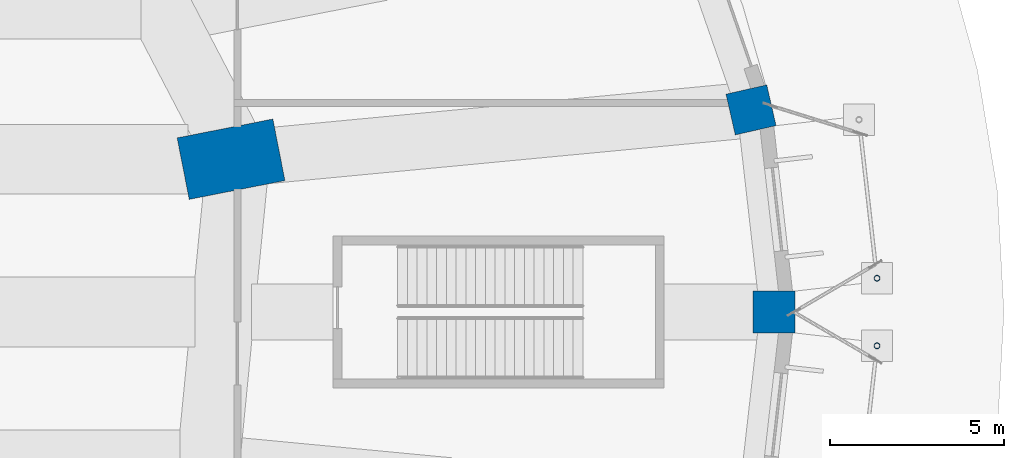
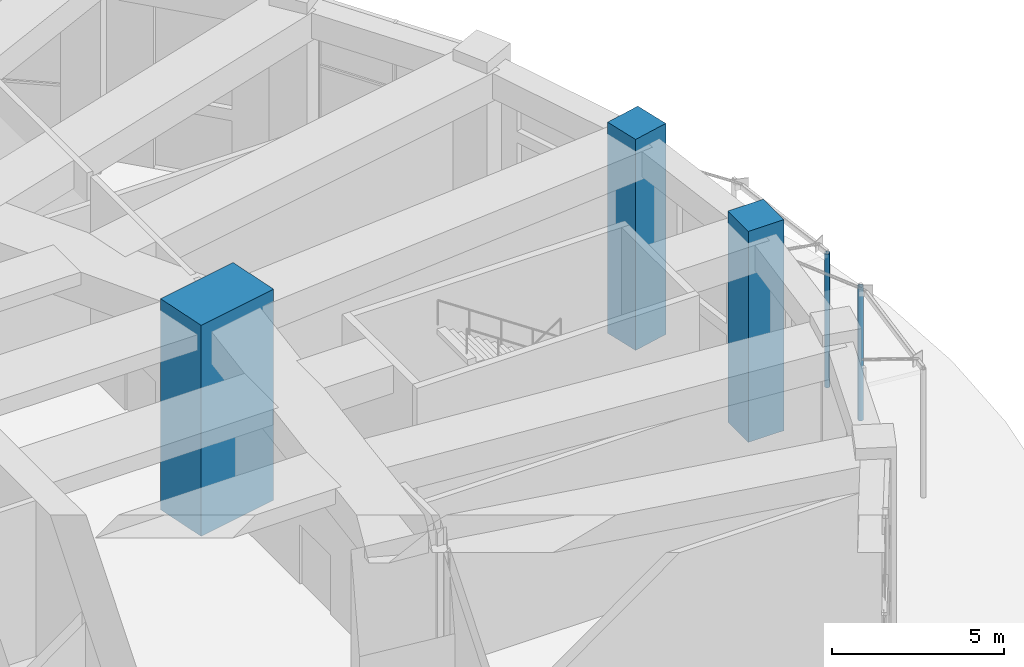
# One storey, part 14 of 60: 5 columns.
"""IFC4 building model written with IfcOpenShell, lengths in metres."""

from ifc_helpers import new_model, si_unit, direction, frame, origin, origin_2d, place, context, subcontext, project, spatial, rectangle, hollow_circle, extrude, material, material_profile, profile_set, type_object, element, save


model = new_model("IFC4")

# Units and contexts
model_context = context("Model", 3, precision=1e-05, world=origin(), true_north=direction((0.0, 1.0)))
body_context = subcontext(model_context, "Body", "Model", "MODEL_VIEW")
ifc_project = project(units=[si_unit("LENGTHUNIT", "METRE"), si_unit("AREAUNIT", "SQUARE_METRE"), si_unit("VOLUMEUNIT", "CUBIC_METRE"), si_unit("PLANEANGLEUNIT", "RADIAN"), si_unit("MASSUNIT", "GRAM", prefix="KILO")], contexts=[model_context])

# Site, building, storey
site_placement = place(None, origin())
site = spatial("IfcSite", under=ifc_project, at=site_placement, CompositionType="ELEMENT")
building_placement = place(site_placement, origin())
building = spatial("IfcBuilding", under=site, at=building_placement, Name="Taillehof Tower", CompositionType="ELEMENT")
storey_placement = place(building_placement, origin())
storey = spatial("IfcBuildingStorey", under=building, at=storey_placement, Name="L00", CompositionType="ELEMENT", Elevation=0.0)

# Columns
ifc_material_1 = material(Name="Steel S460M", Category="steel")
ifc_material_profile_1 = material_profile(ifc_material_1, hollow_circle(Radius=0.084228515625, WallThickness=0.008056640625, at=origin_2d()), Name="CHS 168.3x8")
ifc_profile_set_1 = profile_set([ifc_material_profile_1], Name="Steel S460M")
column_type_1 = type_object("IfcColumnType", Name="Canopy post CHS 168.3x8", PredefinedType="COLUMN", material=ifc_profile_set_1)
for number, where, z_axis, x_axis, name in (
    (1, (46.356689453125, 0.968994140625, -0.199951171875), (0.0, 0.0, 1.0), (1.0, 0.0, 0.0), "Canopy post E18"),
    (2, (46.356689453125, -0.968994140625, -0.199951171875), (0.0, 0.0, 1.0), (1.0, 0.0, 0.0), "Canopy post E19"),
):
    element("IfcColumn", number, at=place(storey_placement, frame(where, z_axis=z_axis, x_axis=x_axis)), inside=storey, type_object=column_type_1, Name=name, PredefinedType="COLUMN", context=body_context, shape_type="SweptSolid", body=[
        extrude(hollow_circle(Radius=0.084228515625, WallThickness=0.008056640625, at=origin_2d()), origin(), (0.0, 0.0, 1.0), 4.7548828125),
    ])
ifc_material_2 = material(Name="Concrete C80/95", Category="concrete")
ifc_material_profile_2 = material_profile(ifc_material_2, rectangle(XDim=2.800048828125, YDim=1.800048828125, at=origin_2d()), Name="RC 2800x1800")
ifc_profile_set_2 = profile_set([ifc_material_profile_2], Name="Concrete C80/95")
column_type_2 = type_object("IfcColumnType", Name="Mega column C80/95 2800x1800", PredefinedType="COLUMN", material=ifc_profile_set_2)
column_placement = place(storey_placement, frame((27.82080078125, 4.384521484375, 0.0), z_axis=(0.0, 0.0, 1.0), x_axis=(0.98120354895, 0.192975634545, 0.0)))
element("IfcColumn", 3, at=column_placement, inside=storey, type_object=column_type_2, Name="Mega column MG01", PredefinedType="COLUMN", context=body_context, shape_type="SweptSolid", body=[
    extrude(rectangle(XDim=2.800048828125, YDim=1.800048828125, at=origin_2d()), origin(), (0.0, 0.0, 1.0), 7.5),
])
ifc_material_3 = material(Name="Concrete C60/75", Category="concrete")
ifc_material_profile_3 = material_profile(ifc_material_3, rectangle(XDim=1.199951171875, YDim=1.199951171875, at=origin_2d()), Name="RC 1200x1200")
ifc_profile_set_3 = profile_set([ifc_material_profile_3], Name="Concrete C60/75")
column_type_3 = type_object("IfcColumnType", Name="Podium column C60/75 1200x1200", PredefinedType="COLUMN", material=ifc_profile_set_3)
for number, where, z_axis, x_axis, name in (
    (4, (43.39990234375, 0.0, 0.0), (0.0, 0.0, 1.0), (1.0, 0.0, 0.0), "Podium column PC01"),
    (5, (42.74072265625, 5.7998046875, 0.0), (0.0, 0.0, 1.0), (0.974939689593, 0.222469327451, 0.0), "Podium column PC02"),
):
    element("IfcColumn", number, at=place(storey_placement, frame(where, z_axis=z_axis, x_axis=x_axis)), inside=storey, type_object=column_type_3, Name=name, PredefinedType="COLUMN", context=body_context, shape_type="SweptSolid", body=[
        extrude(rectangle(XDim=1.199951171875, YDim=1.199951171875, at=origin_2d()), origin(), (0.0, 0.0, 1.0), 7.5),
    ])

save(model, "model.ifc")
